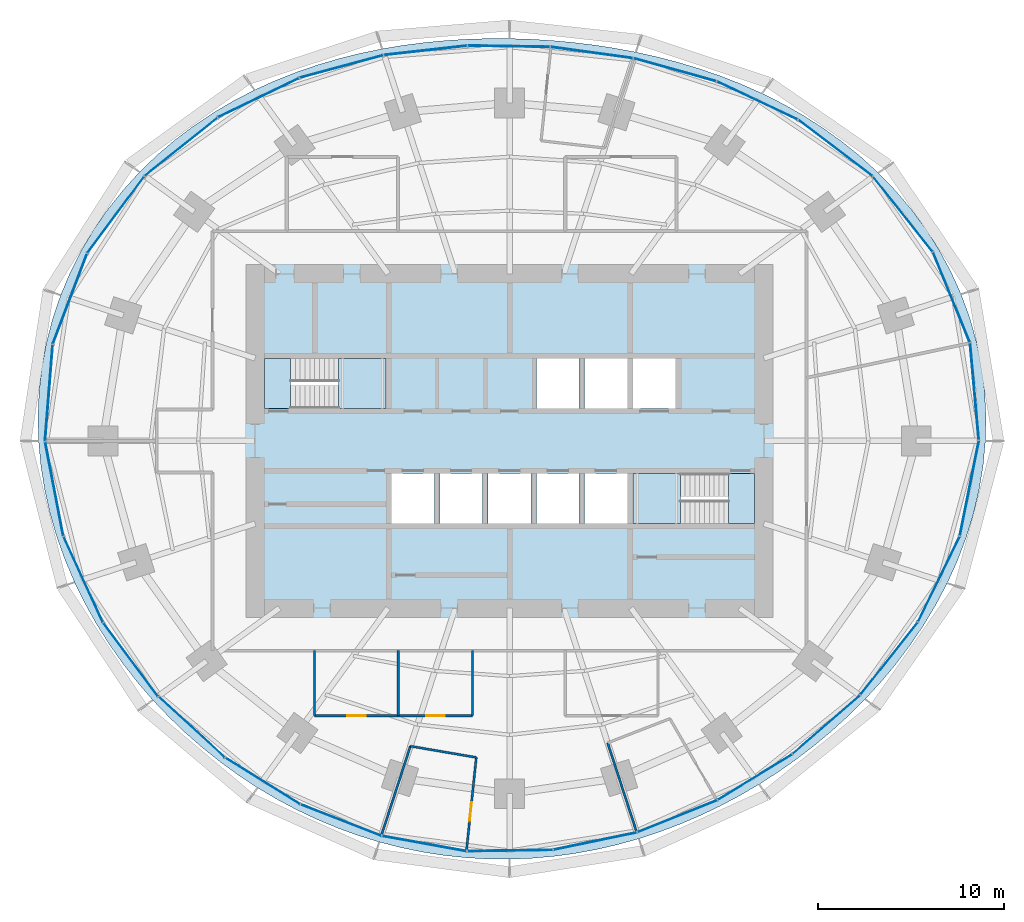
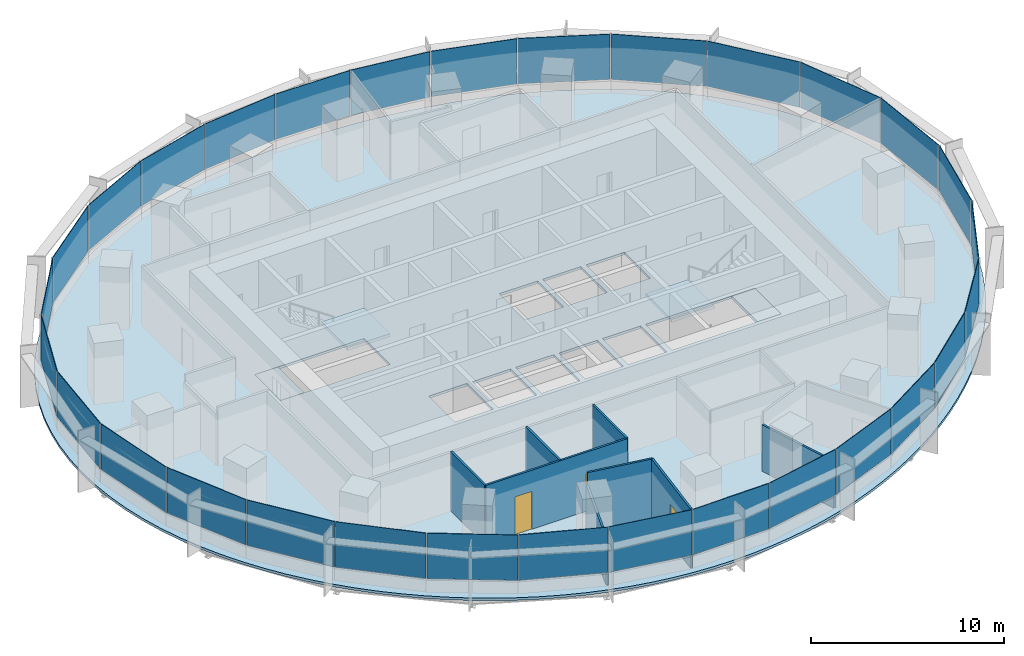
# One storey, part 9 of 14: 30 plates, 8 walls, 5 slabs, 3 doors, 3 openings, 8 elements without a shape of their own.
"""IFC4 building model written with IfcOpenShell, lengths in metres."""

from ifc_helpers import new_model, si_unit, direction, frame, frame_2d, origin, origin_2d, place, context, subcontext, project, spatial, polyline, rectangle, outline, extrude, material, layer, layer_set, type_object, element, fill, aggregate, save


model = new_model("IFC4")

# Units and contexts
model_context = context("Model", 3, precision=1e-05, world=origin(), true_north=direction((0.0, 1.0)))
body_context = subcontext(model_context, "Body", "Model", "MODEL_VIEW")
ifc_project = project(units=[si_unit("LENGTHUNIT", "METRE"), si_unit("AREAUNIT", "SQUARE_METRE"), si_unit("VOLUMEUNIT", "CUBIC_METRE"), si_unit("PLANEANGLEUNIT", "RADIAN"), si_unit("MASSUNIT", "GRAM", prefix="KILO")], contexts=[model_context])

# Site, building, storey
site_placement = place(None, origin())
site = spatial("IfcSite", under=ifc_project, at=site_placement, CompositionType="ELEMENT")
building_placement = place(site_placement, origin())
building = spatial("IfcBuilding", under=site, at=building_placement, Name="Marramba Exchange Tower", CompositionType="ELEMENT")
storey_placement = place(building_placement, frame((0.0, 0.0, 111.89990234375)))
storey = spatial("IfcBuildingStorey", under=building, at=storey_placement, Name="L26", CompositionType="ELEMENT", Elevation=111.89990234375)

# Slab
ifc_material_1 = material(Name="Concrete N40", Category="concrete")
ifc_layer_1 = layer(ifc_material_1, 0.159912109375)
ifc_layer_set_1 = layer_set([ifc_layer_1], Name="Composite floor slab 160")
slab_type_1 = type_object("IfcSlabType", Name="Composite floor slab 160", PredefinedType="FLOOR", material=ifc_layer_set_1)
slab_1_placement = place(storey_placement, frame((0.0, 0.0, -0.159912109375)))
element("IfcSlab", 1, at=slab_1_placement, inside=storey, type_object=slab_type_1, Name="Floor slab L26", PredefinedType="FLOOR", context=body_context, shape_type="SweptSolid", body=[
    extrude(outline(polyline([(25.632080078125, 0.0), (25.66064453125, 1.3447265625), (25.59033203125, 2.689697265625), (25.420166015625, 4.026123046875), (25.15087890625, 5.345947265625), (24.7841796875, 6.640869140625), (24.322998046875, 7.903076171875), (23.771484375, 9.125), (23.135009765625, 10.30029296875), (22.419677734375, 11.42333984375), (21.632080078125, 12.4892578125), (20.779541015625, 13.494384765625), (19.869384765625, 14.43603515625), (18.9091796875, 15.3125), (17.90625, 16.122802734375), (16.86767578125, 16.86767578125), (15.800048828125, 17.5478515625), (14.70947265625, 18.164794921875), (13.6015625, 18.720947265625), (12.48095703125, 19.218994140625), (11.3515625, 19.66162109375), (10.217041015625, 20.05224609375), (9.079833984375, 20.393798828125), (7.94189453125, 20.689453125), (6.804443359375, 20.942138671875), (5.668212890625, 21.154296875), (4.533447265625, 21.328369140625), (3.39990234375, 21.46630859375), (2.26708984375, 21.5693359375), (1.134033203125, 21.63818359375), (0.0, 21.673095703125), (-1.135986328125, 21.673828125), (-2.2744140625, 21.6396484375), (-3.416259765625, 21.5693359375), (-4.5615234375, 21.460693359375), (-5.71044921875, 21.31201171875), (-6.8623046875, 21.1201171875), (-8.01611328125, 20.8828125), (-9.170166015625, 20.5966796875), (-10.322509765625, 20.2587890625), (-11.4697265625, 19.8662109375), (-12.60888671875, 19.415771484375), (-13.7353515625, 18.905029296875), (-14.8447265625, 18.331787109375), (-15.931640625, 17.69384765625), (-16.989990234375, 16.989990234375), (-18.013916015625, 16.2197265625), (-18.996826171875, 15.38330078125), (-19.931884765625, 14.4814453125), (-20.8125, 13.515869140625), (-21.632080078125, 12.4892578125), (-22.384033203125, 11.4052734375), (-23.0625, 10.26806640625), (-23.661865234375, 9.0830078125), (-24.177734375, 7.855712890625), (-24.605712890625, 6.593017578125), (-24.943603515625, 5.302001953125), (-25.18896484375, 3.989501953125), (-25.341064453125, 2.663330078125), (-25.400390625, 1.3310546875), (-25.367919921875, 0.0), (-25.246337890625, -1.322998046875), (-25.038818359375, -2.631591796875), (-24.748779296875, -3.919921875), (-24.381103515625, -5.182373046875), (-23.940185546875, -6.414794921875), (-23.431396484375, -7.61328125), (-22.859130859375, -8.77490234375), (-22.22900390625, -9.89697265625), (-21.545166015625, -10.977783203125), (-20.81201171875, -12.015869140625), (-20.033935546875, -13.010009765625), (-19.2138671875, -13.959716796875), (-18.35546875, -14.86376953125), (-17.461181640625, -15.72216796875), (-16.53369140625, -16.53369140625), (-15.5751953125, -17.298095703125), (-14.587646484375, -18.014404296875), (-13.5732421875, -18.681884765625), (-12.533203125, -19.299560546875), (-11.4697265625, -19.8662109375), (-10.384765625, -20.381103515625), (-9.27978515625, -20.8427734375), (-8.157470703125, -21.250732421875), (-7.019287109375, -21.603271484375), (-5.8681640625, -21.900146484375), (-4.7060546875, -22.14013671875), (-3.53564453125, -22.322998046875), (-2.359375, -22.448486328125), (-1.179931640625, -22.516357421875), (0.0, -22.52685546875), (1.17822265625, -22.480712890625), (2.35205078125, -22.3779296875), (3.519287109375, -22.22021484375), (4.677978515625, -22.0078125), (5.825927734375, -21.742431640625), (6.96142578125, -21.425048828125), (8.0830078125, -21.05712890625), (9.189453125, -20.639892578125), (10.279296875, -20.17431640625), (11.3515625, -19.66162109375), (12.4052734375, -19.1025390625), (13.439453125, -18.497802734375), (14.45263671875, -17.847412109375), (15.44384765625, -17.152099609375), (16.411376953125, -16.411376953125), (17.353515625, -15.625244140625), (18.267822265625, -14.79296875), (19.1513671875, -13.914306640625), (20.000732421875, -12.98876953125), (20.81201171875, -12.015869140625), (21.580810546875, -10.995849609375), (22.301513671875, -9.92919921875), (22.96875, -8.81689453125), (23.57666015625, -7.660400390625), (24.11865234375, -6.462646484375), (24.588623046875, -5.2265625), (24.980224609375, -3.95654296875), (25.2880859375, -2.657958984375), (25.5068359375, -1.336669921875), (25.632080078125, 0.0)]), holes=[polyline([(1.449951171875, 1.75), (3.75, 1.75), (3.75, 4.449951171875), (1.449951171875, 4.449951171875), (1.449951171875, 1.75)]), polyline([(4.050048828125, 1.75), (6.35009765625, 1.75), (6.35009765625, 4.449951171875), (4.050048828125, 4.449951171875), (4.050048828125, 1.75)]), polyline([(-6.35009765625, -4.449951171875), (-4.050048828125, -4.449951171875), (-4.050048828125, -1.75), (-6.35009765625, -1.75), (-6.35009765625, -4.449951171875)]), polyline([(-3.75, -4.449951171875), (-1.449951171875, -4.449951171875), (-1.449951171875, -1.75), (-3.75, -1.75), (-3.75, -4.449951171875)]), polyline([(-1.14990234375, -4.449951171875), (1.14990234375, -4.449951171875), (1.14990234375, -1.75), (-1.14990234375, -1.75), (-1.14990234375, -4.449951171875)]), polyline([(1.449951171875, -4.449951171875), (3.75, -4.449951171875), (3.75, -1.75), (1.449951171875, -1.75), (1.449951171875, -4.449951171875)]), polyline([(4.050048828125, -4.449951171875), (6.35009765625, -4.449951171875), (6.35009765625, -1.75), (4.050048828125, -1.75), (4.050048828125, -4.449951171875)]), polyline([(6.64990234375, 1.75), (8.949951171875, 1.75), (8.949951171875, 4.449951171875), (6.64990234375, 4.449951171875), (6.64990234375, 1.75)]), polyline([(-13.199951171875, 1.75), (-6.64990234375, 1.75), (-6.64990234375, 4.449951171875), (-13.199951171875, 4.449951171875), (-13.199951171875, 1.75)]), polyline([(6.64990234375, -4.449951171875), (13.199951171875, -4.449951171875), (13.199951171875, -1.75), (6.64990234375, -1.75), (6.64990234375, -4.449951171875)])]), origin(), (0.0, 0.0, 1.0), 0.159912109375),
])

# Curtain wall, plates
ifc_material_2 = material(Name="Aluminium framing, bronze anodised", Category="aluminium")
curtain_wall_type = type_object("IfcCurtainWallType", Name="Office ribbon curtain wall", PredefinedType="USERDEFINED", material=ifc_material_2)
curtain_wall_1_placement = place(storey_placement, origin())
curtain_wall_1 = element("IfcCurtainWall", 2, at=curtain_wall_1_placement, inside=storey, type_object=curtain_wall_type, Name="Curtain wall CW4 L26 F01-F05", ObjectType="RIBBON CURTAIN WALL", PredefinedType="USERDEFINED")
ifc_material_3 = material(Name="Laminated double glazed unit 10.76 + 16 + 10.76, bronze tinted", Category="glass")
ifc_layer_2 = layer(ifc_material_3, 0.03759765625)
ifc_layer_set_2 = layer_set([ifc_layer_2], Name="Office ribbon curtain wall panel")
plate_type = type_object("IfcPlateType", Name="Office ribbon curtain wall panel", PredefinedType="CURTAIN_PANEL", material=ifc_layer_set_2)
plate_1_placement = place(storey_placement, frame((25.042724609375, 2.66650390625, 0.860107421875), z_axis=(0.0, 0.0, 1.0), x_axis=(-0.089412887889, 0.995994646311, 0.0)))
plate_1 = element("IfcPlate", 3, at=plate_1_placement, type_object=plate_type, Name="CW4 vision panel", PredefinedType="CURTAIN_PANEL", context=body_context, shape_type="SweptSolid", body=[
    extrude(rectangle(XDim=5.234375, YDim=0.03759765625, at=origin_2d()), origin(), (0.0, 0.0, 1.0), 2.8798828125),
])
plate_2_placement = place(storey_placement, frame((23.800537109375, 7.743408203125, 0.860107421875), z_axis=(0.0, 0.0, 1.0), x_axis=(-0.377821183171, 0.925878584668, 0.0)))
plate_2 = element("IfcPlate", 4, at=plate_2_placement, type_object=plate_type, Name="CW4 vision panel", PredefinedType="CURTAIN_PANEL", context=body_context, shape_type="SweptSolid", body=[
    extrude(rectangle(XDim=5.2158203125, YDim=0.03759765625, at=origin_2d()), origin(), (0.0, 0.0, 1.0), 2.8798828125),
])
plate_3_placement = place(storey_placement, frame((21.18212890625, 12.217529296875, 0.860107421875), z_axis=(0.0, 0.0, 1.0), x_axis=(-0.621312004611, 0.783563266703, 0.0)))
plate_3 = element("IfcPlate", 5, at=plate_3_placement, type_object=plate_type, Name="CW4 vision panel", PredefinedType="CURTAIN_PANEL", context=body_context, shape_type="SweptSolid", body=[
    extrude(rectangle(XDim=5.136962890625, YDim=0.03759765625, at=origin_2d()), origin(), (0.0, 0.0, 1.0), 2.8798828125),
])
plate_4_placement = place(storey_placement, frame((17.55224609375, 15.777099609375, 0.860107421875), z_axis=(0.0, 0.0, 1.0), x_axis=(-0.795971748366, 0.60533377223, 0.0)))
plate_4 = element("IfcPlate", 6, at=plate_4_placement, type_object=plate_type, Name="CW4 vision panel", PredefinedType="CURTAIN_PANEL", context=body_context, shape_type="SweptSolid", body=[
    extrude(rectangle(XDim=4.990966796875, YDim=0.03759765625, at=origin_2d()), origin(), (0.0, 0.0, 1.0), 2.8798828125),
])
plate_5_placement = place(storey_placement, frame((13.34423828125, 18.3359375, 0.860107421875), z_axis=(0.0, 0.0, 1.0), x_axis=(-0.904403137485, 0.426678995157, 0.0)))
plate_5 = element("IfcPlate", 7, at=plate_5_placement, type_object=plate_type, Name="CW4 vision panel", PredefinedType="CURTAIN_PANEL", context=body_context, shape_type="SweptSolid", body=[
    extrude(rectangle(XDim=4.793212890625, YDim=0.03759765625, at=origin_2d()), origin(), (0.0, 0.0, 1.0), 2.8798828125),
])
aggregate(curtain_wall_1, [plate_1, plate_2, plate_3, plate_4, plate_5])

curtain_wall_2_placement = place(storey_placement, origin())
curtain_wall_2 = element("IfcCurtainWall", 8, at=curtain_wall_2_placement, inside=storey, type_object=curtain_wall_type, Name="Curtain wall CW4 L26 F06-F10", ObjectType="RIBBON CURTAIN WALL", PredefinedType="USERDEFINED")
plate_6_placement = place(storey_placement, frame((8.907470703125, 19.991943359375, 0.860107421875), z_axis=(0.0, 0.0, 1.0), x_axis=(-0.963177845956, 0.268865090816, 0.0)))
plate_6 = element("IfcPlate", 9, at=plate_6_placement, type_object=plate_type, Name="CW4 vision panel", PredefinedType="CURTAIN_PANEL", context=body_context, shape_type="SweptSolid", body=[
    extrude(rectangle(XDim=4.591552734375, YDim=0.03759765625, at=origin_2d()), origin(), (0.0, 0.0, 1.0), 2.8798828125),
])
plate_7_placement = place(storey_placement, frame((4.43359375, 20.919189453125, 0.860107421875), z_axis=(0.0, 0.0, 1.0), x_axis=(-0.990738212841, 0.135785837319, 0.0)))
plate_7 = element("IfcPlate", 10, at=plate_7_placement, type_object=plate_type, Name="CW4 vision panel", PredefinedType="CURTAIN_PANEL", context=body_context, shape_type="SweptSolid", body=[
    extrude(rectangle(XDim=4.447509765625, YDim=0.03759765625, at=origin_2d()), origin(), (0.0, 0.0, 1.0), 2.8798828125),
])
plate_8_placement = place(storey_placement, frame((-0.03369140625, 21.2568359375, 0.860107421875), z_axis=(0.0, 0.0, 1.0), x_axis=(-0.999875869968, 0.01575578169, 0.0)))
plate_8 = element("IfcPlate", 11, at=plate_8_placement, type_object=plate_type, Name="CW4 vision panel", PredefinedType="CURTAIN_PANEL", context=body_context, shape_type="SweptSolid", body=[
    extrude(rectangle(XDim=4.408935546875, YDim=0.03759765625, at=origin_2d()), origin(), (0.0, 0.0, 1.0), 2.8798828125),
])
plate_9_placement = place(storey_placement, frame((-4.52587890625, 21.0361328125, 0.860107421875), z_axis=(0.0, 0.0, 1.0), x_axis=(-0.993823395532, -0.110973233233, 0.0)))
plate_9 = element("IfcPlate", 12, at=plate_9_placement, type_object=plate_type, Name="CW4 vision panel", PredefinedType="CURTAIN_PANEL", context=body_context, shape_type="SweptSolid", body=[
    extrude(rectangle(XDim=4.484375, YDim=0.03759765625, at=origin_2d()), origin(), (0.0, 0.0, 1.0), 2.8798828125),
])
plate_10_placement = place(storey_placement, frame((-9.053466796875, 20.16748046875, 0.860107421875), z_axis=(0.0, 0.0, 1.0), x_axis=(-0.965522047176, -0.260321294588, 0.0)))
plate_10 = element("IfcPlate", 13, at=plate_10_placement, type_object=plate_type, Name="CW4 vision panel", PredefinedType="CURTAIN_PANEL", context=body_context, shape_type="SweptSolid", body=[
    extrude(rectangle(XDim=4.642578125, YDim=0.03759765625, at=origin_2d()), origin(), (0.0, 0.0, 1.0), 2.8798828125),
])
aggregate(curtain_wall_2, [plate_6, plate_7, plate_8, plate_9, plate_10])

curtain_wall_3_placement = place(storey_placement, origin())
curtain_wall_3 = element("IfcCurtainWall", 14, at=curtain_wall_3_placement, inside=storey, type_object=curtain_wall_type, Name="Curtain wall CW4 L26 F11-F15", ObjectType="RIBBON CURTAIN WALL", PredefinedType="USERDEFINED")
plate_11_placement = place(storey_placement, frame((-13.52294921875, 18.4853515625, 0.860107421875), z_axis=(0.0, 0.0, 1.0), x_axis=(-0.900223739881, -0.435427626771, 0.0)))
plate_11 = element("IfcPlate", 15, at=plate_11_placement, type_object=plate_type, Name="CW4 vision panel", PredefinedType="CURTAIN_PANEL", context=body_context, shape_type="SweptSolid", body=[
    extrude(rectangle(XDim=4.83056640625, YDim=0.03759765625, at=origin_2d()), origin(), (0.0, 0.0, 1.0), 2.8798828125),
])
plate_12_placement = place(storey_placement, frame((-17.696533203125, 15.8359375, 0.860107421875), z_axis=(0.0, 0.0, 1.0), x_axis=(-0.78117833008, -0.624307950145, 0.0)))
plate_12 = element("IfcPlate", 16, at=plate_12_placement, type_object=plate_type, Name="CW4 vision panel", PredefinedType="CURTAIN_PANEL", context=body_context, shape_type="SweptSolid", body=[
    extrude(rectangle(XDim=4.998291015625, YDim=0.03759765625, at=origin_2d()), origin(), (0.0, 0.0, 1.0), 2.8798828125),
])
plate_13_placement = place(storey_placement, frame((-21.213623046875, 12.1767578125, 0.860107421875), z_axis=(0.0, 0.0, 1.0), x_axis=(-0.597703997504, -0.80171686484, 0.0)))
plate_13 = element("IfcPlate", 17, at=plate_13_placement, type_object=plate_type, Name="CW4 vision panel", PredefinedType="CURTAIN_PANEL", context=body_context, shape_type="SweptSolid", body=[
    extrude(rectangle(XDim=5.116455078125, YDim=0.03759765625, at=origin_2d()), origin(), (0.0, 0.0, 1.0), 2.8798828125),
])
plate_14_placement = place(storey_placement, frame((-23.6826171875, 7.6494140625, 0.860107421875), z_axis=(0.0, 0.0, 1.0), x_axis=(-0.354844468484, -0.934925346317, 0.0)))
plate_14 = element("IfcPlate", 18, at=plate_14_placement, type_object=plate_type, Name="CW4 vision panel", PredefinedType="CURTAIN_PANEL", context=body_context, shape_type="SweptSolid", body=[
    extrude(rectangle(XDim=5.177490234375, YDim=0.03759765625, at=origin_2d()), origin(), (0.0, 0.0, 1.0), 2.8798828125),
])
plate_15_placement = place(storey_placement, frame((-24.81201171875, 2.584716796875, 0.860107421875), z_axis=(0.0, 0.0, 1.0), x_axis=(-0.079459696383, -0.996838079455, 0.0)))
plate_15 = element("IfcPlate", 19, at=plate_15_placement, type_object=plate_type, Name="CW4 vision panel", PredefinedType="CURTAIN_PANEL", context=body_context, shape_type="SweptSolid", body=[
    extrude(rectangle(XDim=5.185791015625, YDim=0.03759765625, at=origin_2d()), origin(), (0.0, 0.0, 1.0), 2.8798828125),
])
aggregate(curtain_wall_3, [plate_11, plate_12, plate_13, plate_14, plate_15])

curtain_wall_4_placement = place(storey_placement, origin())
curtain_wall_4 = element("IfcCurtainWall", 20, at=curtain_wall_4_placement, inside=storey, type_object=curtain_wall_type, Name="Curtain wall CW4 L26 F16-F20", ObjectType="RIBBON CURTAIN WALL", PredefinedType="USERDEFINED")
plate_16_placement = place(storey_placement, frame((-24.522705078125, -2.584228515625, 0.860107421875), z_axis=(0.0, 0.0, 1.0), x_axis=(0.18822721487, -0.982125509078, 0.0)))
plate_16 = element("IfcPlate", 21, at=plate_16_placement, type_object=plate_type, Name="CW4 vision panel", PredefinedType="CURTAIN_PANEL", context=body_context, shape_type="SweptSolid", body=[
    extrude(rectangle(XDim=5.142578125, YDim=0.03759765625, at=origin_2d()), origin(), (0.0, 0.0, 1.0), 2.8798828125),
])
plate_17_placement = place(storey_placement, frame((-22.96142578125, -7.45947265625, 0.860107421875), z_axis=(0.0, 0.0, 1.0), x_axis=(0.416737848929, -0.909026713177, 0.0)))
plate_17 = element("IfcPlate", 22, at=plate_17_placement, type_object=plate_type, Name="CW4 vision panel", PredefinedType="CURTAIN_PANEL", context=body_context, shape_type="SweptSolid", body=[
    extrude(rectangle(XDim=5.0498046875, YDim=0.03759765625, at=origin_2d()), origin(), (0.0, 0.0, 1.0), 2.8798828125),
])
plate_18_placement = place(storey_placement, frame((-20.402099609375, -11.7783203125, 0.860107421875), z_axis=(0.0, 0.0, 1.0), x_axis=(0.597304697033, -0.802014400683, 0.0)))
plate_18 = element("IfcPlate", 23, at=plate_18_placement, type_object=plate_type, Name="CW4 vision panel", PredefinedType="CURTAIN_PANEL", context=body_context, shape_type="SweptSolid", body=[
    extrude(rectangle(XDim=4.926513671875, YDim=0.03759765625, at=origin_2d()), origin(), (0.0, 0.0, 1.0), 2.8798828125),
])
plate_19_placement = place(storey_placement, frame((-17.11376953125, -15.416259765625, 0.860107421875), z_axis=(0.0, 0.0, 1.0), x_axis=(0.737821886077, -0.674995455115, 0.0)))
plate_19 = element("IfcPlate", 24, at=plate_19_placement, type_object=plate_type, Name="CW4 vision panel", PredefinedType="CURTAIN_PANEL", context=body_context, shape_type="SweptSolid", body=[
    extrude(rectangle(XDim=4.80517578125, YDim=0.03759765625, at=origin_2d()), origin(), (0.0, 0.0, 1.0), 2.8798828125),
])
plate_20_placement = place(storey_placement, frame((-13.29248046875, -18.31640625, 0.860107421875), z_axis=(0.0, 0.0, 1.0), x_axis=(0.84835459748, -0.52942844364, 0.0)))
plate_20 = element("IfcPlate", 25, at=plate_20_placement, type_object=plate_type, Name="CW4 vision panel", PredefinedType="CURTAIN_PANEL", context=body_context, shape_type="SweptSolid", body=[
    extrude(rectangle(XDim=4.70947265625, YDim=0.03759765625, at=origin_2d()), origin(), (0.0, 0.0, 1.0), 2.8798828125),
])
aggregate(curtain_wall_4, [plate_16, plate_17, plate_18, plate_19, plate_20])

curtain_wall_5_placement = place(storey_placement, origin())
curtain_wall_5 = element("IfcCurtainWall", 26, at=curtain_wall_5_placement, inside=storey, type_object=curtain_wall_type, Name="Curtain wall CW4 L26 F21-F25", ObjectType="RIBBON CURTAIN WALL", PredefinedType="USERDEFINED")
plate_21_placement = place(storey_placement, frame((-9.074951171875, -20.427734375, 0.860107421875), z_axis=(0.0, 0.0, 1.0), x_axis=(0.931818390344, -0.36292490603, 0.0)))
plate_21 = element("IfcPlate", 27, at=plate_21_placement, type_object=plate_type, Name="CW4 vision panel", PredefinedType="CURTAIN_PANEL", context=body_context, shape_type="SweptSolid", body=[
    extrude(rectangle(XDim=4.644287109375, YDim=0.03759765625, at=origin_2d()), origin(), (0.0, 0.0, 1.0), 2.8798828125),
])
plate_22_placement = place(storey_placement, frame((-4.58740234375, -21.690673828125, 0.860107421875), z_axis=(0.0, 0.0, 1.0), x_axis=(0.984031865834, -0.177992379115, 0.0)))
plate_22 = element("IfcPlate", 28, at=plate_22_placement, type_object=plate_type, Name="CW4 vision panel", PredefinedType="CURTAIN_PANEL", context=body_context, shape_type="SweptSolid", body=[
    extrude(rectangle(XDim=4.602783203125, YDim=0.03759765625, at=origin_2d()), origin(), (0.0, 0.0, 1.0), 2.8798828125),
])
plate_23_placement = place(storey_placement, frame((0.0263671875, -22.064697265625, 0.860107421875), z_axis=(0.0, 0.0, 1.0), x_axis=(0.999884797709, 0.015178646521, 0.0)))
plate_23 = element("IfcPlate", 29, at=plate_23_placement, type_object=plate_type, Name="CW4 vision panel", PredefinedType="CURTAIN_PANEL", context=body_context, shape_type="SweptSolid", body=[
    extrude(rectangle(XDim=4.578857421875, YDim=0.03759765625, at=origin_2d()), origin(), (0.0, 0.0, 1.0), 2.8798828125),
])
plate_24_placement = place(storey_placement, frame((4.61376953125, -21.554931640625, 0.860107421875), z_axis=(0.0, 0.0, 1.0), x_axis=(0.979310199794, 0.202364850159, 0.0)))
plate_24 = element("IfcPlate", 30, at=plate_24_placement, type_object=plate_type, Name="CW4 vision panel", PredefinedType="CURTAIN_PANEL", context=body_context, shape_type="SweptSolid", body=[
    extrude(rectangle(XDim=4.57373046875, YDim=0.03759765625, at=origin_2d()), origin(), (0.0, 0.0, 1.0), 2.8798828125),
])
plate_25_placement = place(storey_placement, frame((9.042724609375, -20.214111328125, 0.860107421875), z_axis=(0.0, 0.0, 1.0), x_axis=(0.928148916059, 0.372209067082, 0.0)))
plate_25 = element("IfcPlate", 31, at=plate_25_placement, type_object=plate_type, Name="CW4 vision panel", PredefinedType="CURTAIN_PANEL", context=body_context, shape_type="SweptSolid", body=[
    extrude(rectangle(XDim=4.59814453125, YDim=0.03759765625, at=origin_2d()), origin(), (0.0, 0.0, 1.0), 2.8798828125),
])
aggregate(curtain_wall_5, [plate_21, plate_22, plate_23, plate_24, plate_25])

curtain_wall_6_placement = place(storey_placement, origin())
curtain_wall_6 = element("IfcCurtainWall", 32, at=curtain_wall_6_placement, inside=storey, type_object=curtain_wall_type, Name="Curtain wall CW4 L26 F26-F30", ObjectType="RIBBON CURTAIN WALL", PredefinedType="USERDEFINED")
plate_26_placement = place(storey_placement, frame((13.21875, -18.109619140625, 0.860107421875), z_axis=(0.0, 0.0, 1.0), x_axis=(0.853109114492, 0.521732535664, 0.0)))
plate_26 = element("IfcPlate", 33, at=plate_26_placement, type_object=plate_type, Name="CW4 vision panel", PredefinedType="CURTAIN_PANEL", context=body_context, shape_type="SweptSolid", body=[
    extrude(rectangle(XDim=4.66748046875, YDim=0.03759765625, at=origin_2d()), origin(), (0.0, 0.0, 1.0), 2.8798828125),
])
plate_27_placement = place(storey_placement, frame((17.0615234375, -15.280517578125, 0.860107421875), z_axis=(0.0, 0.0, 1.0), x_axis=(0.754385506384, 0.656431647438, 0.0)))
plate_27 = element("IfcPlate", 34, at=plate_27_placement, type_object=plate_type, Name="CW4 vision panel", PredefinedType="CURTAIN_PANEL", context=body_context, shape_type="SweptSolid", body=[
    extrude(rectangle(XDim=4.789794921875, YDim=0.03759765625, at=origin_2d()), origin(), (0.0, 0.0, 1.0), 2.8798828125),
])
plate_28_placement = place(storey_placement, frame((20.443603515625, -11.724365234375, 0.860107421875), z_axis=(0.0, 0.0, 1.0), x_axis=(0.621807472329, 0.783170139469, 0.0)))
plate_28 = element("IfcPlate", 35, at=plate_28_placement, type_object=plate_type, Name="CW4 vision panel", PredefinedType="CURTAIN_PANEL", context=body_context, shape_type="SweptSolid", body=[
    extrude(rectangle(XDim=4.947265625, YDim=0.03759765625, at=origin_2d()), origin(), (0.0, 0.0, 1.0), 2.8798828125),
])
plate_29_placement = place(storey_placement, frame((23.127197265625, -7.443359375, 0.860107421875), z_axis=(0.0, 0.0, 1.0), x_axis=(0.439086342308, 0.89844486976, 0.0)))
plate_29 = element("IfcPlate", 36, at=plate_29_placement, type_object=plate_type, Name="CW4 vision panel", PredefinedType="CURTAIN_PANEL", context=body_context, shape_type="SweptSolid", body=[
    extrude(rectangle(XDim=5.096923828125, YDim=0.03759765625, at=origin_2d()), origin(), (0.0, 0.0, 1.0), 2.8798828125),
])
plate_30_placement = place(storey_placement, frame((24.77001953125, -2.54736328125, 0.860107421875), z_axis=(0.0, 0.0, 1.0), x_axis=(0.197048511267, 0.980393739376, 0.0)))
plate_30 = element("IfcPlate", 37, at=plate_30_placement, type_object=plate_type, Name="CW4 vision panel", PredefinedType="CURTAIN_PANEL", context=body_context, shape_type="SweptSolid", body=[
    extrude(rectangle(XDim=5.19677734375, YDim=0.03759765625, at=origin_2d()), origin(), (0.0, 0.0, 1.0), 2.8798828125),
])
aggregate(curtain_wall_6, [plate_26, plate_27, plate_28, plate_29, plate_30])

# Stair, slabs
ifc_material_4 = material(Name="Concrete N40 (40 MPa)", Category="concrete")
stair_type_1 = type_object("IfcStairType", Name="Exit stair ST1 3900 x 1250", PredefinedType="HALF_TURN_STAIR", material=ifc_material_4)
stair_1_placement = place(storey_placement, origin())
stair_1 = element("IfcStair", 38, at=stair_1_placement, inside=storey, type_object=stair_type_1, Name="Exit stair ST1 L26", PredefinedType="HALF_TURN_STAIR")
ifc_layer_3 = layer(ifc_material_4, 0.199951171875)
ifc_layer_set_3 = layer_set([ifc_layer_3], Name="Stair landing 200")
slab_type_2 = type_object("IfcSlabType", Name="Stair landing 200", PredefinedType="LANDING", material=ifc_layer_set_3)
slab_2_placement = place(storey_placement, frame((0.0, 0.0, -0.199951171875)))
slab_2 = element("IfcSlab", 39, at=slab_2_placement, type_object=slab_type_2, Name="ST1 landing 1", PredefinedType="LANDING", context=body_context, shape_type="SweptSolid", body=[
    extrude(outline(polyline([(-13.199951171875, 1.75), (-11.800048828125, 1.75), (-11.800048828125, 4.449951171875), (-13.199951171875, 4.449951171875), (-13.199951171875, 1.75)])), origin(), (0.0, 0.0, 1.0), 0.199951171875),
])
slab_3_placement = place(storey_placement, frame((0.0, 0.0, 1.75)))
slab_3 = element("IfcSlab", 40, at=slab_3_placement, type_object=slab_type_2, Name="ST1 landing 2", PredefinedType="LANDING", context=body_context, shape_type="SweptSolid", body=[
    extrude(outline(polyline([(-9.199951171875, 1.75), (-6.64990234375, 1.75), (-6.64990234375, 4.449951171875), (-9.199951171875, 4.449951171875), (-9.199951171875, 1.75)])), origin(), (0.0, 0.0, 1.0), 0.2001953125),
])
aggregate(stair_1, [slab_2, slab_3])

stair_type_2 = type_object("IfcStairType", Name="Exit stair ST2 3900 x 1250", PredefinedType="HALF_TURN_STAIR", material=ifc_material_4)
stair_2_placement = place(storey_placement, origin())
stair_2 = element("IfcStair", 41, at=stair_2_placement, inside=storey, type_object=stair_type_2, Name="Exit stair ST2 L26", PredefinedType="HALF_TURN_STAIR")
slab_4_placement = place(storey_placement, frame((0.0, 0.0, -0.199951171875)))
slab_4 = element("IfcSlab", 42, at=slab_4_placement, type_object=slab_type_2, Name="ST2 landing 1", PredefinedType="LANDING", context=body_context, shape_type="SweptSolid", body=[
    extrude(outline(polyline([(11.800048828125, -4.449951171875), (13.199951171875, -4.449951171875), (13.199951171875, -1.75), (11.800048828125, -1.75), (11.800048828125, -4.449951171875)])), origin(), (0.0, 0.0, 1.0), 0.199951171875),
])
slab_5_placement = place(storey_placement, frame((0.0, 0.0, 1.75)))
slab_5 = element("IfcSlab", 43, at=slab_5_placement, type_object=slab_type_2, Name="ST2 landing 2", PredefinedType="LANDING", context=body_context, shape_type="SweptSolid", body=[
    extrude(outline(polyline([(6.64990234375, -4.449951171875), (9.199951171875, -4.449951171875), (9.199951171875, -1.75), (6.64990234375, -1.75), (6.64990234375, -4.449951171875)])), origin(), (0.0, 0.0, 1.0), 0.2001953125),
])
aggregate(stair_2, [slab_4, slab_5])

# Walls
ifc_material_5 = material(Name="Plasterboard on steel studs", Category="steel")
ifc_layer_4 = layer(ifc_material_5, 0.1201171875)
ifc_layer_set_4 = layer_set([ifc_layer_4], Name="Partition 120")
wall_type = type_object("IfcWallType", Name="Partition 120", PredefinedType="PARTITIONING", material=ifc_layer_set_4)
for number, where, z_axis, x_axis, name in (
    (44, (-10.5, -11.300048828125, 0.0), (0.0, 0.0, 1.0), (0.0, -1.0, 0.0), "Partition L26 03"),
    (45, (-6.0, -11.300048828125, 0.0), (0.0, 0.0, 1.0), (0.0, -1.0, 0.0), "Partition L26 04"),
):
    element("IfcWall", number, at=place(storey_placement, frame(where, z_axis=z_axis, x_axis=x_axis)), inside=storey, type_object=wall_type, Name=name, PredefinedType="PARTITIONING", context=body_context, shape_type="SweptSolid", body=[
        extrude(rectangle(XDim=3.5, YDim=0.1201171875, at=frame_2d((1.75, 0.0))), origin(), (0.0, 0.0, 1.0), 3.739990234375),
    ])

# Wall, openings, doors
wall_1_placement = place(storey_placement, frame((-10.5, -14.800048828125, 0.0), z_axis=(0.0, 0.0, 1.0), x_axis=(1.0, 0.0, 0.0)))
wall_1 = element("IfcWall", 46, at=wall_1_placement, inside=storey, type_object=wall_type, Name="Partition L26 05", PredefinedType="PARTITIONING", context=body_context, shape_type="SweptSolid", body=[
    extrude(rectangle(XDim=8.5, YDim=0.1201171875, at=frame_2d((4.25, 0.0))), origin(), (0.0, 0.0, 1.0), 3.739990234375),
])
opening_1_placement = place(wall_1_placement, frame((1.75, 0.0, 0.0)))
opening_1 = element("IfcOpeningElement", 47, at=opening_1_placement, cuts=wall_1, Name="Opening D9", PredefinedType="OPENING", context=body_context, shape_type="SweptSolid", body=[
    extrude(rectangle(XDim=1.0, YDim=2.39990234375, at=frame_2d((0.5, 1.199951171875))), frame((0.0, 0.070068359375, 0.0), z_axis=(0.0, -1.0, 0.0), x_axis=(1.0, 0.0, 0.0)), (0.0, 0.0, 1.0), 0.14013671875),
])
opening_2_placement = place(wall_1_placement, frame((6.0, 0.0, 0.0)))
opening_2 = element("IfcOpeningElement", 48, at=opening_2_placement, cuts=wall_1, Name="Opening D9", PredefinedType="OPENING", context=body_context, shape_type="SweptSolid", body=[
    extrude(rectangle(XDim=1.0, YDim=2.39990234375, at=frame_2d((0.5, 1.199951171875))), frame((0.0, 0.070068359375, 0.0), z_axis=(0.0, -1.0, 0.0), x_axis=(1.0, 0.0, 0.0)), (0.0, 0.0, 1.0), 0.14013671875),
])
ifc_material_6 = material(Name="Timber door", Category="wood")
door_type = type_object("IfcDoorType", Name="Room door 1000x2400", OperationType="SINGLE_SWING_LEFT", PredefinedType="DOOR", material=ifc_material_6)
door_1_placement = place(opening_1_placement, origin())
door_1 = element("IfcDoor", 49, at=door_1_placement, inside=storey, type_object=door_type, Name="D9 Pantry 2 L26", OperationType="SINGLE_SWING_RIGHT", OverallHeight=2.39990234375, OverallWidth=1.0, PredefinedType="DOOR", context=body_context, shape_type="SweptSolid", body=[
    extrude(rectangle(XDim=1.0, YDim=2.39990234375, at=frame_2d((0.5, 1.199951171875))), frame((0.0, 0.02490234375, 0.0), z_axis=(0.0, -1.0, 0.0), x_axis=(1.0, 0.0, 0.0)), (0.0, 0.0, 1.0), 0.050048828125),
])
fill(opening_1, door_1)
door_2_placement = place(opening_2_placement, origin())
door_2 = element("IfcDoor", 50, at=door_2_placement, inside=storey, type_object=door_type, Name="D9 Print Room L26", OperationType="SINGLE_SWING_RIGHT", OverallHeight=2.39990234375, OverallWidth=1.0, PredefinedType="DOOR", context=body_context, shape_type="SweptSolid", body=[
    extrude(rectangle(XDim=1.0, YDim=2.39990234375, at=frame_2d((0.5, 1.199951171875))), frame((0.0, 0.02490234375, 0.0), z_axis=(0.0, -1.0, 0.0), x_axis=(1.0, 0.0, 0.0)), (0.0, 0.0, 1.0), 0.050048828125),
])
fill(opening_2, door_2)

# Walls
wall_2_placement = place(storey_placement, frame((-5.34130859375, -16.439208984375, 0.0), z_axis=(0.0, 0.0, 1.0), x_axis=(-0.309040803421, -0.951048779938, 0.0)))
element("IfcWall", 51, at=wall_2_placement, inside=storey, type_object=wall_type, Name="Partition L26 06", PredefinedType="PARTITIONING", context=body_context, shape_type="SweptSolid", body=[
    extrude(rectangle(XDim=4.999755859375, YDim=0.1201171875, at=frame_2d((2.5, 0.0))), origin(), (0.0, 0.0, 1.0), 2.940185546875),
])
wall_3_placement = place(storey_placement, frame((-1.791748046875, -17.048095703125, 0.0), z_axis=(0.0, 0.0, 1.0), x_axis=(-0.985604186085, 0.169069182206, 0.0)))
element("IfcWall", 52, at=wall_3_placement, inside=storey, type_object=wall_type, Name="Partition L26 07", PredefinedType="PARTITIONING", context=body_context, shape_type="SweptSolid", body=[
    extrude(rectangle(XDim=3.601318359375, YDim=0.1201171875, at=frame_2d((1.80078125, 0.0))), origin(), (0.0, 0.0, 1.0), 3.739990234375),
])
wall_4_placement = place(storey_placement, frame((-2.0, -14.800048828125, 0.0), z_axis=(0.0, 0.0, 1.0), x_axis=(0.0, 1.0, 0.0)))
element("IfcWall", 53, at=wall_4_placement, inside=storey, type_object=wall_type, Name="Partition L26 08", PredefinedType="PARTITIONING", context=body_context, shape_type="SweptSolid", body=[
    extrude(rectangle(XDim=3.5, YDim=0.1201171875, at=frame_2d((1.75, 0.0))), origin(), (0.0, 0.0, 1.0), 3.739990234375),
])

# Wall, opening, door
wall_5_placement = place(storey_placement, frame((-2.314453125, -22.020751953125, 0.0), z_axis=(0.0, 0.0, 1.0), x_axis=(0.104539905878, 0.994520692635, 0.0)))
wall_5 = element("IfcWall", 54, at=wall_5_placement, inside=storey, type_object=wall_type, Name="Partition L26 09", PredefinedType="PARTITIONING", context=body_context, shape_type="SweptSolid", body=[
    extrude(rectangle(XDim=5.0, YDim=0.1201171875, at=frame_2d((2.5, 0.0))), origin(), (0.0, 0.0, 1.0), 3.739990234375),
])
opening_3_placement = place(wall_5_placement, frame((1.568115234375, 0.0, 0.0)))
opening_3 = element("IfcOpeningElement", 55, at=opening_3_placement, cuts=wall_5, Name="Opening D9", PredefinedType="OPENING", context=body_context, shape_type="SweptSolid", body=[
    extrude(rectangle(XDim=1.0, YDim=2.39990234375, at=frame_2d((0.5, 1.199951171875))), frame((0.0, 0.070068359375, 0.0), z_axis=(0.0, -1.0, 0.0), x_axis=(1.0, 0.0, 0.0)), (0.0, 0.0, 1.0), 0.14013671875),
])
door_3_placement = place(opening_3_placement, origin())
door_3 = element("IfcDoor", 56, at=door_3_placement, inside=storey, type_object=door_type, Name="D9 Office 2 L26", OperationType="SINGLE_SWING_LEFT", OverallHeight=2.39990234375, OverallWidth=1.0, PredefinedType="DOOR", context=body_context, shape_type="SweptSolid", body=[
    extrude(rectangle(XDim=1.0, YDim=2.39990234375, at=frame_2d((0.5, 1.199951171875))), frame((0.0, 0.02490234375, 0.0), z_axis=(0.0, -1.0, 0.0), x_axis=(1.0, 0.0, 0.0)), (0.0, 0.0, 1.0), 0.050048828125),
])
fill(opening_3, door_3)

# Wall
wall_6_placement = place(storey_placement, frame((5.283447265625, -16.260986328125, 0.0), z_axis=(0.0, 0.0, 1.0), x_axis=(0.309040803421, -0.951048779938, 0.0)))
element("IfcWall", 57, at=wall_6_placement, inside=storey, type_object=wall_type, Name="Partition L26 12", PredefinedType="PARTITIONING", context=body_context, shape_type="SweptSolid", body=[
    extrude(rectangle(XDim=4.999755859375, YDim=0.1201171875, at=frame_2d((2.5, 0.0))), origin(), (0.0, 0.0, 1.0), 2.940185546875),
])

save(model, "model.ifc")
